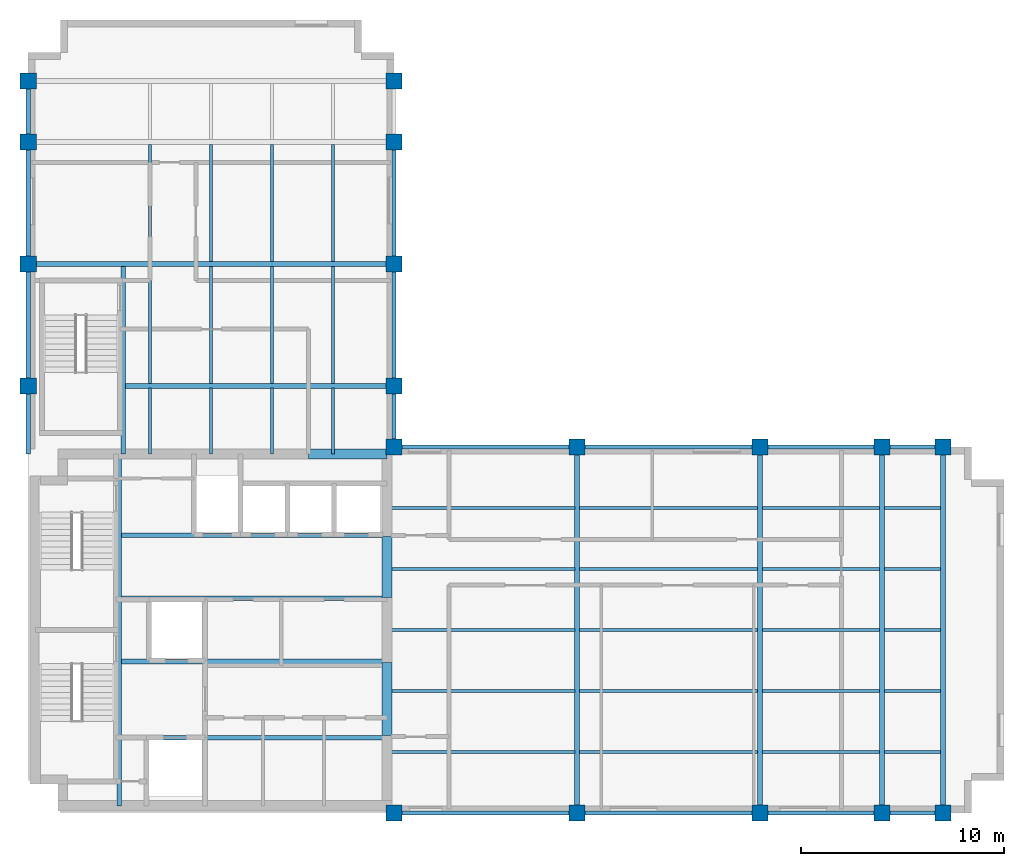
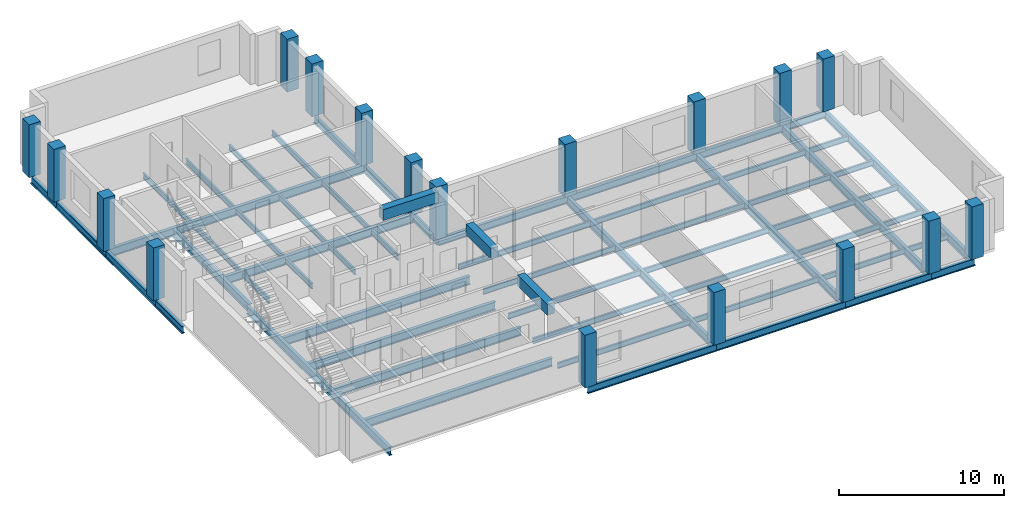
# One storey, part 1 of 6: 62 beams, 18 columns.
"""IFC4 building model written with IfcOpenShell, lengths in metres."""

from ifc_helpers import new_model, si_unit, direction, frame, origin, origin_2d, place, context, subcontext, project, spatial, rectangle, i_section, extrude, material, material_profile, profile_set, type_object, element, save


model = new_model("IFC4")

# Units and contexts
model_context = context("Model", 3, precision=1e-05, world=origin(), true_north=direction((0.0, 1.0)))
body_context = subcontext(model_context, "Body", "Model", "MODEL_VIEW")
ifc_project = project(units=[si_unit("LENGTHUNIT", "METRE"), si_unit("AREAUNIT", "SQUARE_METRE"), si_unit("VOLUMEUNIT", "CUBIC_METRE"), si_unit("PLANEANGLEUNIT", "RADIAN"), si_unit("MASSUNIT", "GRAM", prefix="KILO")], contexts=[model_context])

# Site, building, storey
site_placement = place(None, origin())
site = spatial("IfcSite", under=ifc_project, at=site_placement, CompositionType="ELEMENT")
building_placement = place(site_placement, origin())
building = spatial("IfcBuilding", under=site, at=building_placement, Name="Mawjdan Bourse Tower", CompositionType="ELEMENT")
storey_placement = place(building_placement, frame((0.0, 0.0, 246.89990234375)))
storey = spatial("IfcBuildingStorey", under=building, at=storey_placement, Name="L60", CompositionType="ELEMENT", Elevation=246.89990234375)

# Columns
ifc_material_1 = material(Name="Concrete C60/75", Category="concrete")
ifc_material_profile_1 = material_profile(ifc_material_1, rectangle(XDim=0.800048828125, YDim=0.800048828125, at=origin_2d()), Name="RC800X800")
ifc_profile_set_1 = profile_set([ifc_material_profile_1], Name="Concrete C60/75")
column_type = type_object("IfcColumnType", Name="COL-RC800X800", PredefinedType="COLUMN", material=ifc_profile_set_1)
for number, where, z_axis, x_axis, name in (
    (1, (24.0, 3.0, 0.0), (0.0, 0.0, 1.0), (1.0, 0.0, 0.0), "L60 Structural Column C-X240-Y30"),
    (2, (24.0, 21.0, 0.0), (0.0, 0.0, 1.0), (1.0, 0.0, 0.0), "L60 Structural Column C-X240-Y210"),
    (3, (33.0, 3.0, 0.0), (0.0, 0.0, 1.0), (1.0, 0.0, 0.0), "L60 Structural Column C-X330-Y30"),
    (4, (33.0, 21.0, 0.0), (0.0, 0.0, 1.0), (1.0, 0.0, 0.0), "L60 Structural Column C-X330-Y210"),
    (5, (42.0, 3.0, 0.0), (0.0, 0.0, 1.0), (1.0, 0.0, 0.0), "L60 Structural Column C-X420-Y30"),
    (6, (42.0, 21.0, 0.0), (0.0, 0.0, 1.0), (1.0, 0.0, 0.0), "L60 Structural Column C-X420-Y210"),
    (7, (48.0, 3.0, 0.0), (0.0, 0.0, 1.0), (1.0, 0.0, 0.0), "L60 Structural Column C-X480-Y30"),
    (8, (48.0, 21.0, 0.0), (0.0, 0.0, 1.0), (1.0, 0.0, 0.0), "L60 Structural Column C-X480-Y210"),
    (9, (51.0, 3.0, 0.0), (0.0, 0.0, 1.0), (1.0, 0.0, 0.0), "L60 Structural Column C-X510-Y30"),
    (10, (51.0, 21.0, 0.0), (0.0, 0.0, 1.0), (1.0, 0.0, 0.0), "L60 Structural Column C-X510-Y210"),
    (11, (6.0, 24.0, 0.0), (0.0, 0.0, 1.0), (1.0, 0.0, 0.0), "L60 Structural Column C-X60-Y240"),
    (12, (24.0, 24.0, 0.0), (0.0, 0.0, 1.0), (1.0, 0.0, 0.0), "L60 Structural Column C-X240-Y240"),
    (13, (6.0, 30.0, 0.0), (0.0, 0.0, 1.0), (1.0, 0.0, 0.0), "L60 Structural Column C-X60-Y300"),
    (14, (24.0, 30.0, 0.0), (0.0, 0.0, 1.0), (1.0, 0.0, 0.0), "L60 Structural Column C-X240-Y300"),
    (15, (6.0, 36.0, 0.0), (0.0, 0.0, 1.0), (1.0, 0.0, 0.0), "L60 Structural Column C-X60-Y360"),
    (16, (24.0, 36.0, 0.0), (0.0, 0.0, 1.0), (1.0, 0.0, 0.0), "L60 Structural Column C-X240-Y360"),
    (17, (6.0, 39.0, 0.0), (0.0, 0.0, 1.0), (1.0, 0.0, 0.0), "L60 Structural Column C-X60-Y390"),
    (18, (24.0, 39.0, 0.0), (0.0, 0.0, 1.0), (1.0, 0.0, 0.0), "L60 Structural Column C-X240-Y390"),
):
    element("IfcColumn", number, at=place(storey_placement, frame(where, z_axis=z_axis, x_axis=x_axis)), inside=storey, type_object=column_type, Name=name, PredefinedType="COLUMN", context=body_context, shape_type="SweptSolid", body=[
        extrude(rectangle(XDim=0.800048828125, YDim=0.800048828125, at=origin_2d()), origin(), (0.0, 0.0, 1.0), 3.900146484375),
    ])

# Beams
ifc_material_2 = material(Name="Structural Steel S355", Category="steel")
ifc_material_profile_2 = material_profile(ifc_material_2, i_section(OverallWidth=0.22998046875, OverallDepth=0.616943359375, WebThickness=0.01318359375, FlangeThickness=0.022216796875, FilletRadius=0.017822265625, at=origin_2d()), Name="W24X94")
ifc_profile_set_2 = profile_set([ifc_material_profile_2], Name="Structural Steel S355")
beam_type_1 = type_object("IfcBeamType", Name="GRD-W24X94", PredefinedType="BEAM", material=ifc_profile_set_2)
beam_1_placement = place(storey_placement, frame((10.47998046875, 3.35009765625, -0.50830078125), z_axis=(0.0, 1.0, 0.0), x_axis=(-1.0, 0.0, 0.0)))
element("IfcBeam", 19, at=beam_1_placement, inside=storey, type_object=beam_type_1, Name="L60 Core Stair Trimmer Girder 001", PredefinedType="BEAM", context=body_context, shape_type="SweptSolid", body=[
    extrude(i_section(OverallWidth=0.22998046875, OverallDepth=0.616943359375, WebThickness=0.01318359375, FlangeThickness=0.022216796875, FilletRadius=0.017822265625, at=origin_2d()), origin(), (0.0, 0.0, 1.0), 17.2998046875),
])
for number, where, z_axis, x_axis, name in (
    (20, (33.0, 3.0, -0.50830078125), (0.0, 1.0, 0.0), (-1.0, 0.0, 0.0), "L60 East Wing Clear-Span Girder 002"),
    (21, (42.0, 3.0, -0.50830078125), (0.0, 1.0, 0.0), (-1.0, 0.0, 0.0), "L60 East Wing Clear-Span Girder 003"),
    (22, (48.0, 3.0, -0.50830078125), (0.0, 1.0, 0.0), (-1.0, 0.0, 0.0), "L60 East Wing Clear-Span Girder 004"),
    (23, (51.0, 3.0, -0.50830078125), (0.0, 1.0, 0.0), (-1.0, 0.0, 0.0), "L60 East Wing Clear-Span Girder 005"),
):
    element("IfcBeam", number, at=place(storey_placement, frame(where, z_axis=z_axis, x_axis=x_axis)), inside=storey, type_object=beam_type_1, Name=name, PredefinedType="BEAM", context=body_context, shape_type="SweptSolid", body=[
        extrude(i_section(OverallWidth=0.22998046875, OverallDepth=0.616943359375, WebThickness=0.01318359375, FlangeThickness=0.022216796875, FilletRadius=0.017822265625, at=origin_2d()), origin(), (0.0, 0.0, 1.0), 18.0),
    ])
beam_2_placement = place(storey_placement, frame((10.679931640625, 20.64990234375, -0.50830078125), z_axis=(0.0, 1.0, 0.0), x_axis=(-1.0, 0.0, 0.0)))
element("IfcBeam", 24, at=beam_2_placement, inside=storey, type_object=beam_type_1, Name="L60 North Wing Stair Trimmer Girder 038", PredefinedType="BEAM", context=body_context, shape_type="SweptSolid", body=[
    extrude(i_section(OverallWidth=0.22998046875, OverallDepth=0.616943359375, WebThickness=0.01318359375, FlangeThickness=0.022216796875, FilletRadius=0.017822265625, at=origin_2d()), origin(), (0.0, 0.0, 1.0), 9.237060546875),
])
beam_3_placement = place(storey_placement, frame((10.79296875, 24.0, -0.50830078125), z_axis=(1.0, 0.0, 0.0), x_axis=(0.0, 1.0, 0.0)))
element("IfcBeam", 25, at=beam_3_placement, inside=storey, type_object=beam_type_1, Name="L60 North Wing Clear-Span Girder 039", PredefinedType="BEAM", context=body_context, shape_type="SweptSolid", body=[
    extrude(i_section(OverallWidth=0.22998046875, OverallDepth=0.616943359375, WebThickness=0.01318359375, FlangeThickness=0.022216796875, FilletRadius=0.017822265625, at=origin_2d()), origin(), (0.0, 0.0, 1.0), 13.20703125),
])
beam_4_placement = place(storey_placement, frame((6.0, 30.0, -0.50830078125), z_axis=(1.0, 0.0, 0.0), x_axis=(0.0, 1.0, 0.0)))
element("IfcBeam", 26, at=beam_4_placement, inside=storey, type_object=beam_type_1, Name="L60 North Wing Clear-Span Girder 040", PredefinedType="BEAM", context=body_context, shape_type="SweptSolid", body=[
    extrude(i_section(OverallWidth=0.22998046875, OverallDepth=0.616943359375, WebThickness=0.01318359375, FlangeThickness=0.022216796875, FilletRadius=0.017822265625, at=origin_2d()), origin(), (0.0, 0.0, 1.0), 18.0),
])
ifc_material_profile_3 = material_profile(ifc_material_2, i_section(OverallWidth=0.139892578125, OverallDepth=0.404052734375, WebThickness=0.007080078125, FlangeThickness=0.01123046875, FilletRadius=0.009033203125, at=origin_2d()), Name="W16X31")
ifc_profile_set_3 = profile_set([ifc_material_profile_3], Name="Structural Steel S355")
beam_type_2 = type_object("IfcBeamType", Name="JST-W16X31", PredefinedType="JOIST", material=ifc_profile_set_3)
beam_5_placement = place(storey_placement, frame((23.64990234375, 6.0, -0.40185546875), z_axis=(1.0, 0.0, 0.0), x_axis=(0.0, 1.0, 0.0)))
element("IfcBeam", 27, at=beam_5_placement, inside=storey, type_object=beam_type_2, Name="L60 East Wing Composite Joist 014", PredefinedType="JOIST", context=body_context, shape_type="SweptSolid", body=[
    extrude(i_section(OverallWidth=0.139892578125, OverallDepth=0.404052734375, WebThickness=0.007080078125, FlangeThickness=0.01123046875, FilletRadius=0.009033203125, at=origin_2d()), origin(), (0.0, 0.0, 1.0), 9.237060546875),
])
beam_6_placement = place(storey_placement, frame((33.113037109375, 6.0, -0.40185546875), z_axis=(1.0, 0.0, 0.0), x_axis=(0.0, 1.0, 0.0)))
element("IfcBeam", 28, at=beam_6_placement, inside=storey, type_object=beam_type_2, Name="L60 East Wing Composite Joist 015", PredefinedType="JOIST", context=body_context, shape_type="SweptSolid", body=[
    extrude(i_section(OverallWidth=0.139892578125, OverallDepth=0.404052734375, WebThickness=0.007080078125, FlangeThickness=0.01123046875, FilletRadius=0.009033203125, at=origin_2d()), origin(), (0.0, 0.0, 1.0), 8.77392578125),
])
beam_7_placement = place(storey_placement, frame((42.113037109375, 6.0, -0.40185546875), z_axis=(1.0, 0.0, 0.0), x_axis=(0.0, 1.0, 0.0)))
element("IfcBeam", 29, at=beam_7_placement, inside=storey, type_object=beam_type_2, Name="L60 East Wing Composite Joist 016", PredefinedType="JOIST", context=body_context, shape_type="SweptSolid", body=[
    extrude(i_section(OverallWidth=0.139892578125, OverallDepth=0.404052734375, WebThickness=0.007080078125, FlangeThickness=0.01123046875, FilletRadius=0.009033203125, at=origin_2d()), origin(), (0.0, 0.0, 1.0), 5.77392578125),
])
beam_8_placement = place(storey_placement, frame((48.113037109375, 6.0, -0.40185546875), z_axis=(1.0, 0.0, 0.0), x_axis=(0.0, 1.0, 0.0)))
element("IfcBeam", 30, at=beam_8_placement, inside=storey, type_object=beam_type_2, Name="L60 East Wing Composite Joist 017", PredefinedType="JOIST", context=body_context, shape_type="SweptSolid", body=[
    extrude(i_section(OverallWidth=0.139892578125, OverallDepth=0.404052734375, WebThickness=0.007080078125, FlangeThickness=0.01123046875, FilletRadius=0.009033203125, at=origin_2d()), origin(), (0.0, 0.0, 1.0), 2.77392578125),
])
beam_9_placement = place(storey_placement, frame((23.64990234375, 9.0, -0.40185546875), z_axis=(1.0, 0.0, 0.0), x_axis=(0.0, 1.0, 0.0)))
element("IfcBeam", 31, at=beam_9_placement, inside=storey, type_object=beam_type_2, Name="L60 East Wing Composite Joist 018", PredefinedType="JOIST", context=body_context, shape_type="SweptSolid", body=[
    extrude(i_section(OverallWidth=0.139892578125, OverallDepth=0.404052734375, WebThickness=0.007080078125, FlangeThickness=0.01123046875, FilletRadius=0.009033203125, at=origin_2d()), origin(), (0.0, 0.0, 1.0), 9.237060546875),
])
beam_10_placement = place(storey_placement, frame((33.113037109375, 9.0, -0.40185546875), z_axis=(1.0, 0.0, 0.0), x_axis=(0.0, 1.0, 0.0)))
element("IfcBeam", 32, at=beam_10_placement, inside=storey, type_object=beam_type_2, Name="L60 East Wing Composite Joist 019", PredefinedType="JOIST", context=body_context, shape_type="SweptSolid", body=[
    extrude(i_section(OverallWidth=0.139892578125, OverallDepth=0.404052734375, WebThickness=0.007080078125, FlangeThickness=0.01123046875, FilletRadius=0.009033203125, at=origin_2d()), origin(), (0.0, 0.0, 1.0), 8.77392578125),
])
beam_11_placement = place(storey_placement, frame((42.113037109375, 9.0, -0.40185546875), z_axis=(1.0, 0.0, 0.0), x_axis=(0.0, 1.0, 0.0)))
element("IfcBeam", 33, at=beam_11_placement, inside=storey, type_object=beam_type_2, Name="L60 East Wing Composite Joist 020", PredefinedType="JOIST", context=body_context, shape_type="SweptSolid", body=[
    extrude(i_section(OverallWidth=0.139892578125, OverallDepth=0.404052734375, WebThickness=0.007080078125, FlangeThickness=0.01123046875, FilletRadius=0.009033203125, at=origin_2d()), origin(), (0.0, 0.0, 1.0), 5.77392578125),
])
beam_12_placement = place(storey_placement, frame((48.113037109375, 9.0, -0.40185546875), z_axis=(1.0, 0.0, 0.0), x_axis=(0.0, 1.0, 0.0)))
element("IfcBeam", 34, at=beam_12_placement, inside=storey, type_object=beam_type_2, Name="L60 East Wing Composite Joist 021", PredefinedType="JOIST", context=body_context, shape_type="SweptSolid", body=[
    extrude(i_section(OverallWidth=0.139892578125, OverallDepth=0.404052734375, WebThickness=0.007080078125, FlangeThickness=0.01123046875, FilletRadius=0.009033203125, at=origin_2d()), origin(), (0.0, 0.0, 1.0), 2.77392578125),
])
beam_13_placement = place(storey_placement, frame((23.64990234375, 12.0, -0.40185546875), z_axis=(1.0, 0.0, 0.0), x_axis=(0.0, 1.0, 0.0)))
element("IfcBeam", 35, at=beam_13_placement, inside=storey, type_object=beam_type_2, Name="L60 East Wing Composite Joist 022", PredefinedType="JOIST", context=body_context, shape_type="SweptSolid", body=[
    extrude(i_section(OverallWidth=0.139892578125, OverallDepth=0.404052734375, WebThickness=0.007080078125, FlangeThickness=0.01123046875, FilletRadius=0.009033203125, at=origin_2d()), origin(), (0.0, 0.0, 1.0), 9.237060546875),
])
beam_14_placement = place(storey_placement, frame((33.113037109375, 12.0, -0.40185546875), z_axis=(1.0, 0.0, 0.0), x_axis=(0.0, 1.0, 0.0)))
element("IfcBeam", 36, at=beam_14_placement, inside=storey, type_object=beam_type_2, Name="L60 East Wing Composite Joist 023", PredefinedType="JOIST", context=body_context, shape_type="SweptSolid", body=[
    extrude(i_section(OverallWidth=0.139892578125, OverallDepth=0.404052734375, WebThickness=0.007080078125, FlangeThickness=0.01123046875, FilletRadius=0.009033203125, at=origin_2d()), origin(), (0.0, 0.0, 1.0), 8.77392578125),
])
beam_15_placement = place(storey_placement, frame((42.113037109375, 12.0, -0.40185546875), z_axis=(1.0, 0.0, 0.0), x_axis=(0.0, 1.0, 0.0)))
element("IfcBeam", 37, at=beam_15_placement, inside=storey, type_object=beam_type_2, Name="L60 East Wing Composite Joist 024", PredefinedType="JOIST", context=body_context, shape_type="SweptSolid", body=[
    extrude(i_section(OverallWidth=0.139892578125, OverallDepth=0.404052734375, WebThickness=0.007080078125, FlangeThickness=0.01123046875, FilletRadius=0.009033203125, at=origin_2d()), origin(), (0.0, 0.0, 1.0), 5.77392578125),
])
beam_16_placement = place(storey_placement, frame((48.113037109375, 12.0, -0.40185546875), z_axis=(1.0, 0.0, 0.0), x_axis=(0.0, 1.0, 0.0)))
element("IfcBeam", 38, at=beam_16_placement, inside=storey, type_object=beam_type_2, Name="L60 East Wing Composite Joist 025", PredefinedType="JOIST", context=body_context, shape_type="SweptSolid", body=[
    extrude(i_section(OverallWidth=0.139892578125, OverallDepth=0.404052734375, WebThickness=0.007080078125, FlangeThickness=0.01123046875, FilletRadius=0.009033203125, at=origin_2d()), origin(), (0.0, 0.0, 1.0), 2.77392578125),
])
beam_17_placement = place(storey_placement, frame((23.64990234375, 15.0, -0.40185546875), z_axis=(1.0, 0.0, 0.0), x_axis=(0.0, 1.0, 0.0)))
element("IfcBeam", 39, at=beam_17_placement, inside=storey, type_object=beam_type_2, Name="L60 East Wing Composite Joist 026", PredefinedType="JOIST", context=body_context, shape_type="SweptSolid", body=[
    extrude(i_section(OverallWidth=0.139892578125, OverallDepth=0.404052734375, WebThickness=0.007080078125, FlangeThickness=0.01123046875, FilletRadius=0.009033203125, at=origin_2d()), origin(), (0.0, 0.0, 1.0), 9.237060546875),
])
beam_18_placement = place(storey_placement, frame((33.113037109375, 15.0, -0.40185546875), z_axis=(1.0, 0.0, 0.0), x_axis=(0.0, 1.0, 0.0)))
element("IfcBeam", 40, at=beam_18_placement, inside=storey, type_object=beam_type_2, Name="L60 East Wing Composite Joist 027", PredefinedType="JOIST", context=body_context, shape_type="SweptSolid", body=[
    extrude(i_section(OverallWidth=0.139892578125, OverallDepth=0.404052734375, WebThickness=0.007080078125, FlangeThickness=0.01123046875, FilletRadius=0.009033203125, at=origin_2d()), origin(), (0.0, 0.0, 1.0), 8.77392578125),
])
beam_19_placement = place(storey_placement, frame((42.113037109375, 15.0, -0.40185546875), z_axis=(1.0, 0.0, 0.0), x_axis=(0.0, 1.0, 0.0)))
element("IfcBeam", 41, at=beam_19_placement, inside=storey, type_object=beam_type_2, Name="L60 East Wing Composite Joist 028", PredefinedType="JOIST", context=body_context, shape_type="SweptSolid", body=[
    extrude(i_section(OverallWidth=0.139892578125, OverallDepth=0.404052734375, WebThickness=0.007080078125, FlangeThickness=0.01123046875, FilletRadius=0.009033203125, at=origin_2d()), origin(), (0.0, 0.0, 1.0), 5.77392578125),
])
beam_20_placement = place(storey_placement, frame((48.113037109375, 15.0, -0.40185546875), z_axis=(1.0, 0.0, 0.0), x_axis=(0.0, 1.0, 0.0)))
element("IfcBeam", 42, at=beam_20_placement, inside=storey, type_object=beam_type_2, Name="L60 East Wing Composite Joist 029", PredefinedType="JOIST", context=body_context, shape_type="SweptSolid", body=[
    extrude(i_section(OverallWidth=0.139892578125, OverallDepth=0.404052734375, WebThickness=0.007080078125, FlangeThickness=0.01123046875, FilletRadius=0.009033203125, at=origin_2d()), origin(), (0.0, 0.0, 1.0), 2.77392578125),
])
beam_21_placement = place(storey_placement, frame((23.64990234375, 18.0, -0.40185546875), z_axis=(1.0, 0.0, 0.0), x_axis=(0.0, 1.0, 0.0)))
element("IfcBeam", 43, at=beam_21_placement, inside=storey, type_object=beam_type_2, Name="L60 East Wing Composite Joist 030", PredefinedType="JOIST", context=body_context, shape_type="SweptSolid", body=[
    extrude(i_section(OverallWidth=0.139892578125, OverallDepth=0.404052734375, WebThickness=0.007080078125, FlangeThickness=0.01123046875, FilletRadius=0.009033203125, at=origin_2d()), origin(), (0.0, 0.0, 1.0), 9.237060546875),
])
beam_22_placement = place(storey_placement, frame((33.113037109375, 18.0, -0.40185546875), z_axis=(1.0, 0.0, 0.0), x_axis=(0.0, 1.0, 0.0)))
element("IfcBeam", 44, at=beam_22_placement, inside=storey, type_object=beam_type_2, Name="L60 East Wing Composite Joist 031", PredefinedType="JOIST", context=body_context, shape_type="SweptSolid", body=[
    extrude(i_section(OverallWidth=0.139892578125, OverallDepth=0.404052734375, WebThickness=0.007080078125, FlangeThickness=0.01123046875, FilletRadius=0.009033203125, at=origin_2d()), origin(), (0.0, 0.0, 1.0), 8.77392578125),
])
beam_23_placement = place(storey_placement, frame((42.113037109375, 18.0, -0.40185546875), z_axis=(1.0, 0.0, 0.0), x_axis=(0.0, 1.0, 0.0)))
element("IfcBeam", 45, at=beam_23_placement, inside=storey, type_object=beam_type_2, Name="L60 East Wing Composite Joist 032", PredefinedType="JOIST", context=body_context, shape_type="SweptSolid", body=[
    extrude(i_section(OverallWidth=0.139892578125, OverallDepth=0.404052734375, WebThickness=0.007080078125, FlangeThickness=0.01123046875, FilletRadius=0.009033203125, at=origin_2d()), origin(), (0.0, 0.0, 1.0), 5.77392578125),
])
beam_24_placement = place(storey_placement, frame((48.113037109375, 18.0, -0.40185546875), z_axis=(1.0, 0.0, 0.0), x_axis=(0.0, 1.0, 0.0)))
element("IfcBeam", 46, at=beam_24_placement, inside=storey, type_object=beam_type_2, Name="L60 East Wing Composite Joist 033", PredefinedType="JOIST", context=body_context, shape_type="SweptSolid", body=[
    extrude(i_section(OverallWidth=0.139892578125, OverallDepth=0.404052734375, WebThickness=0.007080078125, FlangeThickness=0.01123046875, FilletRadius=0.009033203125, at=origin_2d()), origin(), (0.0, 0.0, 1.0), 2.77392578125),
])
beam_25_placement = place(storey_placement, frame((12.0, 20.64990234375, -0.40185546875), z_axis=(0.0, 1.0, 0.0), x_axis=(-1.0, 0.0, 0.0)))
element("IfcBeam", 47, at=beam_25_placement, inside=storey, type_object=beam_type_2, Name="L60 North Wing Composite Joist 051", PredefinedType="JOIST", context=body_context, shape_type="SweptSolid", body=[
    extrude(i_section(OverallWidth=0.139892578125, OverallDepth=0.404052734375, WebThickness=0.007080078125, FlangeThickness=0.01123046875, FilletRadius=0.009033203125, at=origin_2d()), origin(), (0.0, 0.0, 1.0), 3.237060546875),
])
for number, where, z_axis, x_axis, name in (
    (48, (12.0, 24.113037109375, -0.40185546875), (0.0, 1.0, 0.0), (-1.0, 0.0, 0.0), "L60 North Wing Composite Joist 052"),
    (49, (12.0, 30.113037109375, -0.40185546875), (0.0, 1.0, 0.0), (-1.0, 0.0, 0.0), "L60 North Wing Composite Joist 053"),
):
    element("IfcBeam", number, at=place(storey_placement, frame(where, z_axis=z_axis, x_axis=x_axis)), inside=storey, type_object=beam_type_2, Name=name, PredefinedType="JOIST", context=body_context, shape_type="SweptSolid", body=[
        extrude(i_section(OverallWidth=0.139892578125, OverallDepth=0.404052734375, WebThickness=0.007080078125, FlangeThickness=0.01123046875, FilletRadius=0.009033203125, at=origin_2d()), origin(), (0.0, 0.0, 1.0), 5.77392578125),
    ])
beam_26_placement = place(storey_placement, frame((15.0, 20.64990234375, -0.40185546875), z_axis=(0.0, 1.0, 0.0), x_axis=(-1.0, 0.0, 0.0)))
element("IfcBeam", 50, at=beam_26_placement, inside=storey, type_object=beam_type_2, Name="L60 North Wing Composite Joist 055", PredefinedType="JOIST", context=body_context, shape_type="SweptSolid", body=[
    extrude(i_section(OverallWidth=0.139892578125, OverallDepth=0.404052734375, WebThickness=0.007080078125, FlangeThickness=0.01123046875, FilletRadius=0.009033203125, at=origin_2d()), origin(), (0.0, 0.0, 1.0), 3.237060546875),
])
for number, where, z_axis, x_axis, name in (
    (51, (15.0, 24.113037109375, -0.40185546875), (0.0, 1.0, 0.0), (-1.0, 0.0, 0.0), "L60 North Wing Composite Joist 056"),
    (52, (15.0, 30.113037109375, -0.40185546875), (0.0, 1.0, 0.0), (-1.0, 0.0, 0.0), "L60 North Wing Composite Joist 057"),
):
    element("IfcBeam", number, at=place(storey_placement, frame(where, z_axis=z_axis, x_axis=x_axis)), inside=storey, type_object=beam_type_2, Name=name, PredefinedType="JOIST", context=body_context, shape_type="SweptSolid", body=[
        extrude(i_section(OverallWidth=0.139892578125, OverallDepth=0.404052734375, WebThickness=0.007080078125, FlangeThickness=0.01123046875, FilletRadius=0.009033203125, at=origin_2d()), origin(), (0.0, 0.0, 1.0), 5.77392578125),
    ])
beam_27_placement = place(storey_placement, frame((18.0, 20.64990234375, -0.40185546875), z_axis=(0.0, 1.0, 0.0), x_axis=(-1.0, 0.0, 0.0)))
element("IfcBeam", 53, at=beam_27_placement, inside=storey, type_object=beam_type_2, Name="L60 North Wing Composite Joist 059", PredefinedType="JOIST", context=body_context, shape_type="SweptSolid", body=[
    extrude(i_section(OverallWidth=0.139892578125, OverallDepth=0.404052734375, WebThickness=0.007080078125, FlangeThickness=0.01123046875, FilletRadius=0.009033203125, at=origin_2d()), origin(), (0.0, 0.0, 1.0), 3.237060546875),
])
for number, where, z_axis, x_axis, name in (
    (54, (18.0, 24.113037109375, -0.40185546875), (0.0, 1.0, 0.0), (-1.0, 0.0, 0.0), "L60 North Wing Composite Joist 060"),
    (55, (18.0, 30.113037109375, -0.40185546875), (0.0, 1.0, 0.0), (-1.0, 0.0, 0.0), "L60 North Wing Composite Joist 061"),
):
    element("IfcBeam", number, at=place(storey_placement, frame(where, z_axis=z_axis, x_axis=x_axis)), inside=storey, type_object=beam_type_2, Name=name, PredefinedType="JOIST", context=body_context, shape_type="SweptSolid", body=[
        extrude(i_section(OverallWidth=0.139892578125, OverallDepth=0.404052734375, WebThickness=0.007080078125, FlangeThickness=0.01123046875, FilletRadius=0.009033203125, at=origin_2d()), origin(), (0.0, 0.0, 1.0), 5.77392578125),
    ])
beam_28_placement = place(storey_placement, frame((21.0, 20.64990234375, -0.40185546875), z_axis=(0.0, 1.0, 0.0), x_axis=(-1.0, 0.0, 0.0)))
element("IfcBeam", 56, at=beam_28_placement, inside=storey, type_object=beam_type_2, Name="L60 North Wing Composite Joist 063", PredefinedType="JOIST", context=body_context, shape_type="SweptSolid", body=[
    extrude(i_section(OverallWidth=0.139892578125, OverallDepth=0.404052734375, WebThickness=0.007080078125, FlangeThickness=0.01123046875, FilletRadius=0.009033203125, at=origin_2d()), origin(), (0.0, 0.0, 1.0), 3.237060546875),
])
for number, where, z_axis, x_axis, name in (
    (57, (21.0, 24.113037109375, -0.40185546875), (0.0, 1.0, 0.0), (-1.0, 0.0, 0.0), "L60 North Wing Composite Joist 064"),
    (58, (21.0, 30.113037109375, -0.40185546875), (0.0, 1.0, 0.0), (-1.0, 0.0, 0.0), "L60 North Wing Composite Joist 065"),
):
    element("IfcBeam", number, at=place(storey_placement, frame(where, z_axis=z_axis, x_axis=x_axis)), inside=storey, type_object=beam_type_2, Name=name, PredefinedType="JOIST", context=body_context, shape_type="SweptSolid", body=[
        extrude(i_section(OverallWidth=0.139892578125, OverallDepth=0.404052734375, WebThickness=0.007080078125, FlangeThickness=0.01123046875, FilletRadius=0.009033203125, at=origin_2d()), origin(), (0.0, 0.0, 1.0), 5.77392578125),
    ])
ifc_material_profile_4 = material_profile(ifc_material_2, i_section(OverallWidth=0.22998046875, OverallDepth=0.616943359375, WebThickness=0.01318359375, FlangeThickness=0.022216796875, FilletRadius=0.017822265625, at=origin_2d()), Name="W24X94")
ifc_profile_set_4 = profile_set([ifc_material_profile_4], Name="Structural Steel S355")
beam_type_3 = type_object("IfcBeamType", Name="JST-W24X94", PredefinedType="JOIST", material=ifc_profile_set_4)
for number, where, z_axis, x_axis, name in (
    (59, (10.593017578125, 6.699951171875, -0.50830078125), (1.0, 0.0, 0.0), (0.0, 1.0, 0.0), "L60 Core Floor Joist 034"),
    (60, (10.593017578125, 10.449951171875, -0.50830078125), (1.0, 0.0, 0.0), (0.0, 1.0, 0.0), "L60 Core Floor Joist 035"),
    (61, (10.593017578125, 13.550048828125, -0.50830078125), (1.0, 0.0, 0.0), (0.0, 1.0, 0.0), "L60 Core Floor Joist 036"),
    (62, (10.593017578125, 16.64990234375, -0.50830078125), (1.0, 0.0, 0.0), (0.0, 1.0, 0.0), "L60 Core Floor Joist 037"),
):
    element("IfcBeam", number, at=place(storey_placement, frame(where, z_axis=z_axis, x_axis=x_axis)), inside=storey, type_object=beam_type_3, Name=name, PredefinedType="JOIST", context=body_context, shape_type="SweptSolid", body=[
        extrude(i_section(OverallWidth=0.22998046875, OverallDepth=0.616943359375, WebThickness=0.01318359375, FlangeThickness=0.022216796875, FilletRadius=0.017822265625, at=origin_2d()), origin(), (0.0, 0.0, 1.0), 13.056884765625),
    ])
ifc_material_3 = material(Name="Concrete C70/85", Category="concrete")
ifc_material_profile_5 = material_profile(ifc_material_3, rectangle(XDim=0.5, YDim=0.800048828125, at=origin_2d()), Name="RCB500X800")
ifc_profile_set_5 = profile_set([ifc_material_profile_5], Name="Concrete C70/85")
beam_type_4 = type_object("IfcBeamType", Name="LNT-RCB500X800", PredefinedType="LINTEL", material=ifc_profile_set_5)
beam_29_placement = place(storey_placement, frame((23.64990234375, 6.800048828125, 3.300048828125), z_axis=(0.0, 1.0, 0.0), x_axis=(-1.0, 0.0, 0.0)))
element("IfcBeam", 63, at=beam_29_placement, inside=storey, type_object=beam_type_4, Name="L60 Coupled Core Lintel CB-E1", PredefinedType="LINTEL", context=body_context, shape_type="SweptSolid", body=[
    extrude(rectangle(XDim=0.5, YDim=0.800048828125, at=origin_2d()), origin(), (0.0, 0.0, 1.0), 3.599853515625),
])
beam_30_placement = place(storey_placement, frame((23.64990234375, 13.60009765625, 3.300048828125), z_axis=(0.0, 1.0, 0.0), x_axis=(-1.0, 0.0, 0.0)))
element("IfcBeam", 64, at=beam_30_placement, inside=storey, type_object=beam_type_4, Name="L60 Coupled Core Lintel CB-E2", PredefinedType="LINTEL", context=body_context, shape_type="SweptSolid", body=[
    extrude(rectangle(XDim=0.5, YDim=0.800048828125, at=origin_2d()), origin(), (0.0, 0.0, 1.0), 3.0),
])
beam_31_placement = place(storey_placement, frame((19.800048828125, 20.64990234375, 3.300048828125), z_axis=(1.0, 0.0, 0.0), x_axis=(0.0, 1.0, 0.0)))
element("IfcBeam", 65, at=beam_31_placement, inside=storey, type_object=beam_type_4, Name="L60 Coupled Core Lintel CB-N1", PredefinedType="LINTEL", context=body_context, shape_type="SweptSolid", body=[
    extrude(rectangle(XDim=0.5, YDim=0.800048828125, at=origin_2d()), origin(), (0.0, 0.0, 1.0), 3.849853515625),
])
ifc_material_profile_6 = material_profile(ifc_material_2, i_section(OverallWidth=0.2099609375, OverallDepth=0.537109375, WebThickness=0.010986328125, FlangeThickness=0.017333984375, FilletRadius=0.013916015625, at=origin_2d()), Name="W21X68")
ifc_profile_set_6 = profile_set([ifc_material_profile_6], Name="Structural Steel S355")
beam_type_5 = type_object("IfcBeamType", Name="SPN-W21X68", PredefinedType="SPANDREL", material=ifc_profile_set_6)
for number, where, z_axis, x_axis, name in (
    (66, (24.0, 3.0, -0.468505859375), (1.0, 0.0, 0.0), (0.0, 1.0, 0.0), "L60 Perimeter Masonry-Shelf Spandrel 006"),
    (67, (33.0, 3.0, -0.468505859375), (1.0, 0.0, 0.0), (0.0, 1.0, 0.0), "L60 Perimeter Masonry-Shelf Spandrel 007"),
):
    element("IfcBeam", number, at=place(storey_placement, frame(where, z_axis=z_axis, x_axis=x_axis)), inside=storey, type_object=beam_type_5, Name=name, PredefinedType="SPANDREL", context=body_context, shape_type="SweptSolid", body=[
        extrude(i_section(OverallWidth=0.2099609375, OverallDepth=0.537109375, WebThickness=0.010986328125, FlangeThickness=0.017333984375, FilletRadius=0.013916015625, at=origin_2d()), origin(), (0.0, 0.0, 1.0), 9.0),
    ])
beam_32_placement = place(storey_placement, frame((42.0, 3.0, -0.468505859375), z_axis=(1.0, 0.0, 0.0), x_axis=(0.0, 1.0, 0.0)))
element("IfcBeam", 68, at=beam_32_placement, inside=storey, type_object=beam_type_5, Name="L60 Perimeter Masonry-Shelf Spandrel 008", PredefinedType="SPANDREL", context=body_context, shape_type="SweptSolid", body=[
    extrude(i_section(OverallWidth=0.2099609375, OverallDepth=0.537109375, WebThickness=0.010986328125, FlangeThickness=0.017333984375, FilletRadius=0.013916015625, at=origin_2d()), origin(), (0.0, 0.0, 1.0), 6.0),
])
beam_33_placement = place(storey_placement, frame((48.0, 3.0, -0.468505859375), z_axis=(1.0, 0.0, 0.0), x_axis=(0.0, 1.0, 0.0)))
element("IfcBeam", 69, at=beam_33_placement, inside=storey, type_object=beam_type_5, Name="L60 Perimeter Masonry-Shelf Spandrel 009", PredefinedType="SPANDREL", context=body_context, shape_type="SweptSolid", body=[
    extrude(i_section(OverallWidth=0.2099609375, OverallDepth=0.537109375, WebThickness=0.010986328125, FlangeThickness=0.017333984375, FilletRadius=0.013916015625, at=origin_2d()), origin(), (0.0, 0.0, 1.0), 3.0),
])
for number, where, z_axis, x_axis, name in (
    (70, (24.0, 21.0, -0.468505859375), (1.0, 0.0, 0.0), (0.0, 1.0, 0.0), "L60 Perimeter Masonry-Shelf Spandrel 010"),
    (71, (33.0, 21.0, -0.468505859375), (1.0, 0.0, 0.0), (0.0, 1.0, 0.0), "L60 Perimeter Masonry-Shelf Spandrel 011"),
):
    element("IfcBeam", number, at=place(storey_placement, frame(where, z_axis=z_axis, x_axis=x_axis)), inside=storey, type_object=beam_type_5, Name=name, PredefinedType="SPANDREL", context=body_context, shape_type="SweptSolid", body=[
        extrude(i_section(OverallWidth=0.2099609375, OverallDepth=0.537109375, WebThickness=0.010986328125, FlangeThickness=0.017333984375, FilletRadius=0.013916015625, at=origin_2d()), origin(), (0.0, 0.0, 1.0), 9.0),
    ])
beam_34_placement = place(storey_placement, frame((42.0, 21.0, -0.468505859375), z_axis=(1.0, 0.0, 0.0), x_axis=(0.0, 1.0, 0.0)))
element("IfcBeam", 72, at=beam_34_placement, inside=storey, type_object=beam_type_5, Name="L60 Perimeter Masonry-Shelf Spandrel 012", PredefinedType="SPANDREL", context=body_context, shape_type="SweptSolid", body=[
    extrude(i_section(OverallWidth=0.2099609375, OverallDepth=0.537109375, WebThickness=0.010986328125, FlangeThickness=0.017333984375, FilletRadius=0.013916015625, at=origin_2d()), origin(), (0.0, 0.0, 1.0), 6.0),
])
beam_35_placement = place(storey_placement, frame((48.0, 21.0, -0.468505859375), z_axis=(1.0, 0.0, 0.0), x_axis=(0.0, 1.0, 0.0)))
element("IfcBeam", 73, at=beam_35_placement, inside=storey, type_object=beam_type_5, Name="L60 Perimeter Masonry-Shelf Spandrel 013", PredefinedType="SPANDREL", context=body_context, shape_type="SweptSolid", body=[
    extrude(i_section(OverallWidth=0.2099609375, OverallDepth=0.537109375, WebThickness=0.010986328125, FlangeThickness=0.017333984375, FilletRadius=0.013916015625, at=origin_2d()), origin(), (0.0, 0.0, 1.0), 3.0),
])
beam_36_placement = place(storey_placement, frame((6.0, 20.64990234375, -0.468505859375), z_axis=(0.0, 1.0, 0.0), x_axis=(-1.0, 0.0, 0.0)))
element("IfcBeam", 74, at=beam_36_placement, inside=storey, type_object=beam_type_5, Name="L60 North Wing Spandrel 043", PredefinedType="SPANDREL", context=body_context, shape_type="SweptSolid", body=[
    extrude(i_section(OverallWidth=0.2099609375, OverallDepth=0.537109375, WebThickness=0.010986328125, FlangeThickness=0.017333984375, FilletRadius=0.013916015625, at=origin_2d()), origin(), (0.0, 0.0, 1.0), 3.35009765625),
])
for number, where, z_axis, x_axis, name in (
    (75, (6.0, 24.0, -0.468505859375), (0.0, 1.0, 0.0), (-1.0, 0.0, 0.0), "L60 North Wing Spandrel 044"),
    (76, (6.0, 30.0, -0.468505859375), (0.0, 1.0, 0.0), (-1.0, 0.0, 0.0), "L60 North Wing Spandrel 045"),
):
    element("IfcBeam", number, at=place(storey_placement, frame(where, z_axis=z_axis, x_axis=x_axis)), inside=storey, type_object=beam_type_5, Name=name, PredefinedType="SPANDREL", context=body_context, shape_type="SweptSolid", body=[
        extrude(i_section(OverallWidth=0.2099609375, OverallDepth=0.537109375, WebThickness=0.010986328125, FlangeThickness=0.017333984375, FilletRadius=0.013916015625, at=origin_2d()), origin(), (0.0, 0.0, 1.0), 6.0),
    ])
for number, where, z_axis, x_axis, name in (
    (77, (6.0, 36.0, -0.468505859375), (0.0, 1.0, 0.0), (-1.0, 0.0, 0.0), "L60 North Wing Spandrel 046"),
    (78, (24.0, 21.0, -0.468505859375), (0.0, 1.0, 0.0), (-1.0, 0.0, 0.0), "L60 North Wing Spandrel 047"),
):
    element("IfcBeam", number, at=place(storey_placement, frame(where, z_axis=z_axis, x_axis=x_axis)), inside=storey, type_object=beam_type_5, Name=name, PredefinedType="SPANDREL", context=body_context, shape_type="SweptSolid", body=[
        extrude(i_section(OverallWidth=0.2099609375, OverallDepth=0.537109375, WebThickness=0.010986328125, FlangeThickness=0.017333984375, FilletRadius=0.013916015625, at=origin_2d()), origin(), (0.0, 0.0, 1.0), 3.0),
    ])
for number, where, z_axis, x_axis, name in (
    (79, (24.0, 24.0, -0.468505859375), (0.0, 1.0, 0.0), (-1.0, 0.0, 0.0), "L60 North Wing Spandrel 048"),
    (80, (24.0, 30.0, -0.468505859375), (0.0, 1.0, 0.0), (-1.0, 0.0, 0.0), "L60 North Wing Spandrel 049"),
):
    element("IfcBeam", number, at=place(storey_placement, frame(where, z_axis=z_axis, x_axis=x_axis)), inside=storey, type_object=beam_type_5, Name=name, PredefinedType="SPANDREL", context=body_context, shape_type="SweptSolid", body=[
        extrude(i_section(OverallWidth=0.2099609375, OverallDepth=0.537109375, WebThickness=0.010986328125, FlangeThickness=0.017333984375, FilletRadius=0.013916015625, at=origin_2d()), origin(), (0.0, 0.0, 1.0), 6.0),
    ])

save(model, "model.ifc")
